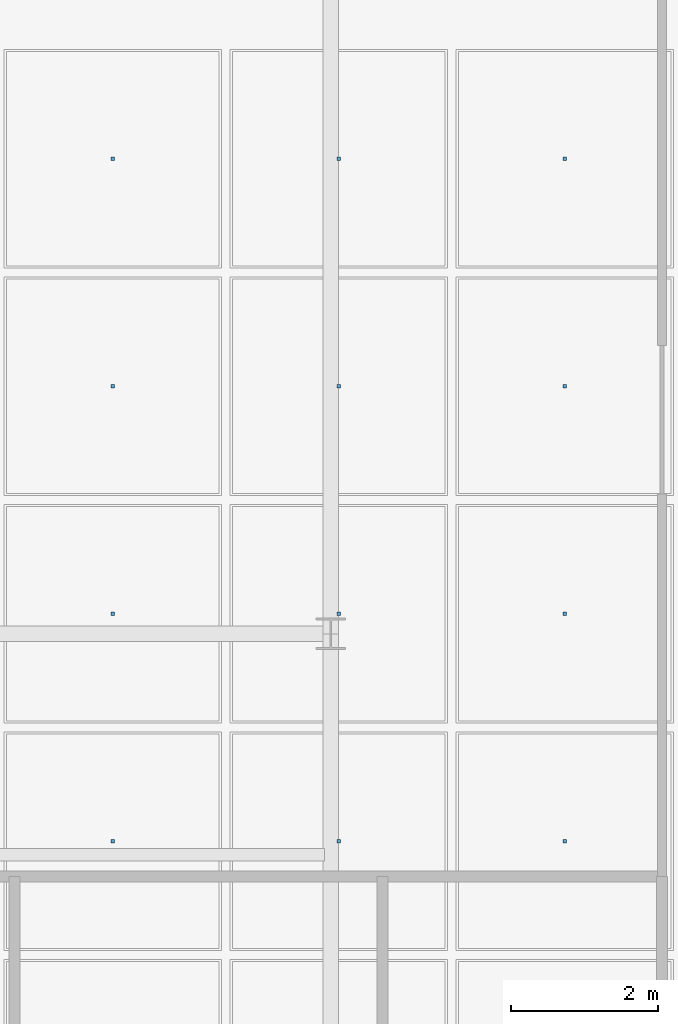
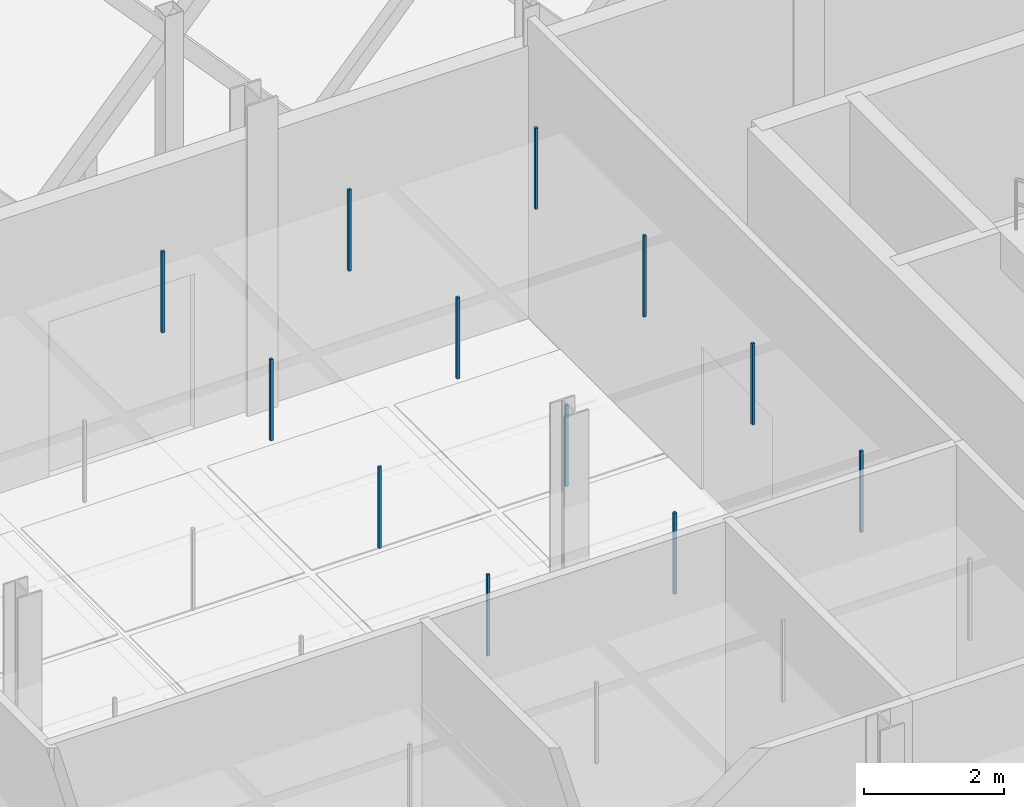
# One storey, part 120 of 180: 12 discrete accessories.
"""IFC4 building model written with IfcOpenShell, lengths in metres."""

from ifc_helpers import new_model, si_unit, direction, frame, origin, origin_2d, place, context, subcontext, project, spatial, rectangle, extrude, material, type_object, element, save


model = new_model("IFC4")

# Units and contexts
model_context = context("Model", 3, precision=1e-05, world=origin(), true_north=direction((0.0, 1.0)))
body_context = subcontext(model_context, "Body", "Model", "MODEL_VIEW")
ifc_project = project(units=[si_unit("LENGTHUNIT", "METRE"), si_unit("AREAUNIT", "SQUARE_METRE"), si_unit("VOLUMEUNIT", "CUBIC_METRE"), si_unit("PLANEANGLEUNIT", "RADIAN"), si_unit("MASSUNIT", "GRAM", prefix="KILO"), si_unit("THERMODYNAMICTEMPERATUREUNIT", "KELVIN"), si_unit("POWERUNIT", "WATT")], contexts=[model_context])

# Site, building, storey
site_placement = place(None, origin())
site = spatial("IfcSite", under=ifc_project, at=site_placement, CompositionType="ELEMENT")
building_placement = place(site_placement, origin())
building = spatial("IfcBuilding", under=site, at=building_placement, Name="Tallowbark Science Centre", CompositionType="ELEMENT")
storey_placement = place(building_placement, origin())
storey = spatial("IfcBuildingStorey", under=building, at=storey_placement, Name="L00", CompositionType="ELEMENT", Elevation=0.0)

# Discrete accessories
ifc_material = material(Name="Galvanised Steel Grade C350L0 (350 MPa)", Category="steel")
discrete_accessory_type = type_object("IfcDiscreteAccessoryType", Name="ACC-CLG-HNG", PredefinedType="BRACKET", material=ifc_material)
for number, where, z_axis, x_axis, name in (
    (1, (82.53564453125, 28.681884765625, 3.8095703125), (0.0, 0.0, 1.0), (1.0, 0.0, 0.0), "Ceiling Hanger Bracket L00-147"),
    (2, (82.53564453125, 31.772705078125, 3.8095703125), (0.0, 0.0, 1.0), (1.0, 0.0, 0.0), "Ceiling Hanger Bracket L00-148"),
    (3, (82.53564453125, 34.863525390625, 3.8095703125), (0.0, 0.0, 1.0), (1.0, 0.0, 0.0), "Ceiling Hanger Bracket L00-149"),
    (4, (82.53564453125, 37.95458984375, 3.8095703125), (0.0, 0.0, 1.0), (1.0, 0.0, 0.0), "Ceiling Hanger Bracket L00-150"),
    (5, (85.607177734375, 28.681884765625, 3.8095703125), (0.0, 0.0, 1.0), (1.0, 0.0, 0.0), "Ceiling Hanger Bracket L00-158"),
    (6, (85.607177734375, 31.772705078125, 3.8095703125), (0.0, 0.0, 1.0), (1.0, 0.0, 0.0), "Ceiling Hanger Bracket L00-159"),
    (7, (85.607177734375, 34.863525390625, 3.8095703125), (0.0, 0.0, 1.0), (1.0, 0.0, 0.0), "Ceiling Hanger Bracket L00-160"),
    (8, (85.607177734375, 37.95458984375, 3.8095703125), (0.0, 0.0, 1.0), (1.0, 0.0, 0.0), "Ceiling Hanger Bracket L00-161"),
    (9, (88.6787109375, 28.681884765625, 3.8095703125), (0.0, 0.0, 1.0), (1.0, 0.0, 0.0), "Ceiling Hanger Bracket L00-169"),
    (10, (88.6787109375, 31.772705078125, 3.8095703125), (0.0, 0.0, 1.0), (1.0, 0.0, 0.0), "Ceiling Hanger Bracket L00-170"),
    (11, (88.6787109375, 34.863525390625, 3.8095703125), (0.0, 0.0, 1.0), (1.0, 0.0, 0.0), "Ceiling Hanger Bracket L00-171"),
    (12, (88.6787109375, 37.95458984375, 3.8095703125), (0.0, 0.0, 1.0), (1.0, 0.0, 0.0), "Ceiling Hanger Bracket L00-172"),
):
    element("IfcDiscreteAccessory", number, at=place(storey_placement, frame(where, z_axis=z_axis, x_axis=x_axis)), inside=storey, type_object=discrete_accessory_type, Name=name, PredefinedType="BRACKET", context=body_context, shape_type="SweptSolid", body=[
        extrude(rectangle(XDim=0.044921875, YDim=0.044921875, at=origin_2d()), origin(), (0.0, 0.0, 1.0), 1.41357421875),
    ])

save(model, "model.ifc")
